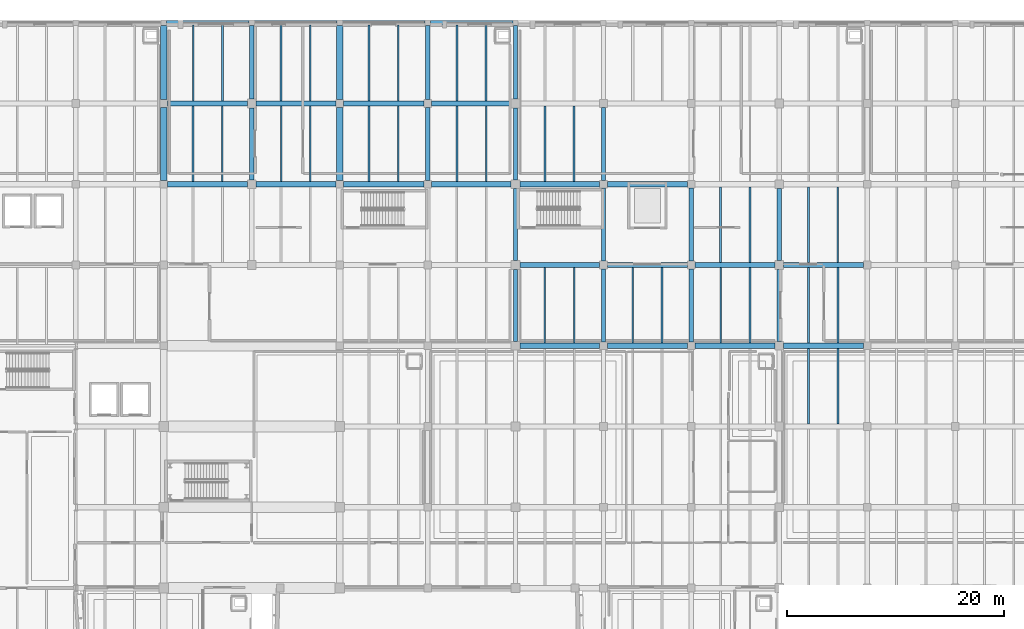
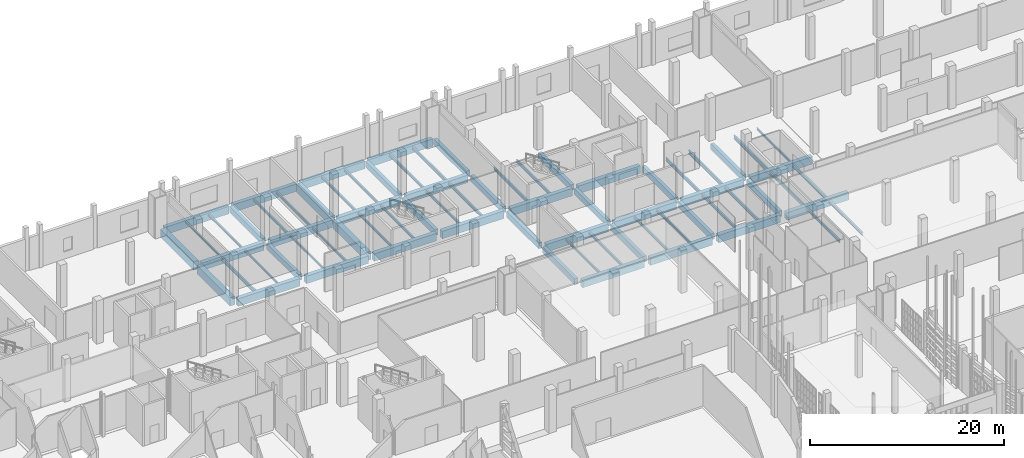
# One storey, part 250 of 372: 73 beams.
"""IFC4 building model written with IfcOpenShell, lengths in metres."""

from ifc_helpers import new_model, si_unit, direction, frame, origin, origin_2d, place, context, subcontext, project, spatial, rectangle, i_section, extrude, material, material_profile, profile_set, type_object, element, save


model = new_model("IFC4")

# Units and contexts
model_context = context("Model", 3, precision=1e-05, world=origin(), true_north=direction((0.0, 1.0)))
body_context = subcontext(model_context, "Body", "Model", "MODEL_VIEW")
ifc_project = project(units=[si_unit("LENGTHUNIT", "METRE"), si_unit("AREAUNIT", "SQUARE_METRE"), si_unit("VOLUMEUNIT", "CUBIC_METRE"), si_unit("PLANEANGLEUNIT", "RADIAN"), si_unit("MASSUNIT", "GRAM", prefix="KILO")], contexts=[model_context])

# Site, building, storey
site_placement = place(None, origin())
site = spatial("IfcSite", under=ifc_project, at=site_placement, CompositionType="ELEMENT")
building_placement = place(site_placement, origin())
building = spatial("IfcBuilding", under=site, at=building_placement, Name="Kaelora Sail Theatre", CompositionType="ELEMENT")
storey_placement = place(building_placement, origin())
storey = spatial("IfcBuildingStorey", under=building, at=storey_placement, Name="L00", CompositionType="ELEMENT", Elevation=0.0)

# Beams
ifc_material_1 = material(Name="Steel S355", Category="steel")
ifc_material_profile_1 = material_profile(ifc_material_1, i_section(OverallWidth=0.18994140625, OverallDepth=0.449951171875, WebThickness=0.009521484375, FlangeThickness=0.0146484375, FilletRadius=0.02099609375, at=origin_2d()), Name="IPE 450")
ifc_profile_set_1 = profile_set([ifc_material_profile_1], Name="Steel S355")
beam_type_1 = type_object("IfcBeamType", Name="STR-BM-BM-IPE450", PredefinedType="BEAM", material=ifc_profile_set_1)
for number, where, z_axis, x_axis, name in (
    (1, (69.0, 98.469970703125, -0.544921875), (0.0, 1.0, 0.0), (-1.0, 0.0, 0.0), "Secondary floor joist 9/N-1 (L00)"),
    (2, (120.300048828125, 91.030029296875, -0.544921875), (0.0, 1.0, 0.0), (-1.0, 0.0, 0.0), "Secondary floor joist 15/M-2 (L00)"),
    (3, (128.39990234375, 83.590087890625, -0.544921875), (0.0, 1.0, 0.0), (-1.0, 0.0, 0.0), "Secondary floor joist 16/L-2 (L00)"),
    (4, (125.699951171875, 91.030029296875, -0.544921875), (0.0, 1.0, 0.0), (-1.0, 0.0, 0.0), "Secondary floor joist 16/M-1 (L00)"),
):
    element("IfcBeam", number, at=place(storey_placement, frame(where, z_axis=z_axis, x_axis=x_axis)), inside=storey, type_object=beam_type_1, Name=name, PredefinedType="BEAM", context=body_context, shape_type="SweptSolid", body=[
        extrude(i_section(OverallWidth=0.18994140625, OverallDepth=0.449951171875, WebThickness=0.009521484375, FlangeThickness=0.0146484375, FilletRadius=0.02099609375, at=origin_2d()), origin(), (0.0, 0.0, 1.0), 6.93994140625),
    ])
ifc_material_2 = material(Name="Concrete C40/50", Category="concrete")
ifc_material_profile_2 = material_profile(ifc_material_2, rectangle(XDim=0.39990234375, YDim=0.75, at=origin_2d()), Name="RC-BM 400x750")
ifc_profile_set_2 = profile_set([ifc_material_profile_2], Name="Concrete C40/50")
beam_type_2 = type_object("IfcBeamType", Name="STR-BM-BM-RC4075", PredefinedType="BEAM", material=ifc_profile_set_2)
beam_1_placement = place(storey_placement, frame((74.39990234375, 98.6201171875, -0.695068359375), z_axis=(0.0, 1.0, 0.0), x_axis=(-1.0, 0.0, 0.0)))
element("IfcBeam", 5, at=beam_1_placement, inside=storey, type_object=beam_type_2, Name="Primary beam 10 N-O (L00)", PredefinedType="BEAM", context=body_context, shape_type="SweptSolid", body=[
    extrude(rectangle(XDim=0.39990234375, YDim=0.75, at=origin_2d()), origin(), (0.0, 0.0, 1.0), 6.639892578125),
])
beam_2_placement = place(storey_placement, frame((74.39990234375, 106.06005859375, -0.695068359375), z_axis=(0.0, 1.0, 0.0), x_axis=(-1.0, 0.0, 0.0)))
element("IfcBeam", 6, at=beam_2_placement, inside=storey, type_object=beam_type_2, Name="Primary beam 10 O-P (L00)", PredefinedType="BEAM", context=body_context, shape_type="SweptSolid", body=[
    extrude(rectangle(XDim=0.39990234375, YDim=0.75, at=origin_2d()), origin(), (0.0, 0.0, 1.0), 6.7900390625),
])
beam_3_placement = place(storey_placement, frame((90.60009765625, 98.570068359375, -0.695068359375), z_axis=(0.0, 1.0, 0.0), x_axis=(-1.0, 0.0, 0.0)))
element("IfcBeam", 7, at=beam_3_placement, inside=storey, type_object=beam_type_2, Name="Primary beam 12 N-O (L00)", PredefinedType="BEAM", context=body_context, shape_type="SweptSolid", body=[
    extrude(rectangle(XDim=0.39990234375, YDim=0.75, at=origin_2d()), origin(), (0.0, 0.0, 1.0), 6.739990234375),
])
beam_4_placement = place(storey_placement, frame((90.60009765625, 106.010009765625, -0.695068359375), z_axis=(0.0, 1.0, 0.0), x_axis=(-1.0, 0.0, 0.0)))
element("IfcBeam", 8, at=beam_4_placement, inside=storey, type_object=beam_type_2, Name="Primary beam 12 O-P (L00)", PredefinedType="BEAM", context=body_context, shape_type="SweptSolid", body=[
    extrude(rectangle(XDim=0.39990234375, YDim=0.75, at=origin_2d()), origin(), (0.0, 0.0, 1.0), 6.840087890625),
])
beam_5_placement = place(storey_placement, frame((98.699951171875, 83.739990234375, -0.695068359375), z_axis=(0.0, 1.0, 0.0), x_axis=(-1.0, 0.0, 0.0)))
element("IfcBeam", 9, at=beam_5_placement, inside=storey, type_object=beam_type_2, Name="Primary beam 13 L-M (L00)", PredefinedType="BEAM", context=body_context, shape_type="SweptSolid", body=[
    extrude(rectangle(XDim=0.39990234375, YDim=0.75, at=origin_2d()), origin(), (0.0, 0.0, 1.0), 6.639892578125),
])
beam_6_placement = place(storey_placement, frame((98.699951171875, 91.179931640625, -0.695068359375), z_axis=(0.0, 1.0, 0.0), x_axis=(-1.0, 0.0, 0.0)))
element("IfcBeam", 10, at=beam_6_placement, inside=storey, type_object=beam_type_2, Name="Primary beam 13 M-N (L00)", PredefinedType="BEAM", context=body_context, shape_type="SweptSolid", body=[
    extrude(rectangle(XDim=0.39990234375, YDim=0.75, at=origin_2d()), origin(), (0.0, 0.0, 1.0), 6.64013671875),
])
beam_7_placement = place(storey_placement, frame((98.699951171875, 98.6201171875, -0.695068359375), z_axis=(0.0, 1.0, 0.0), x_axis=(-1.0, 0.0, 0.0)))
element("IfcBeam", 11, at=beam_7_placement, inside=storey, type_object=beam_type_2, Name="Primary beam 13 N-O (L00)", PredefinedType="BEAM", context=body_context, shape_type="SweptSolid", body=[
    extrude(rectangle(XDim=0.39990234375, YDim=0.75, at=origin_2d()), origin(), (0.0, 0.0, 1.0), 6.639892578125),
])
beam_8_placement = place(storey_placement, frame((98.699951171875, 106.06005859375, -0.695068359375), z_axis=(0.0, 1.0, 0.0), x_axis=(-1.0, 0.0, 0.0)))
element("IfcBeam", 12, at=beam_8_placement, inside=storey, type_object=beam_type_2, Name="Primary beam 13 O-P (L00)", PredefinedType="BEAM", context=body_context, shape_type="SweptSolid", body=[
    extrude(rectangle(XDim=0.39990234375, YDim=0.75, at=origin_2d()), origin(), (0.0, 0.0, 1.0), 6.7900390625),
])
beam_9_placement = place(storey_placement, frame((106.800048828125, 83.68994140625, -0.695068359375), z_axis=(0.0, 1.0, 0.0), x_axis=(-1.0, 0.0, 0.0)))
element("IfcBeam", 13, at=beam_9_placement, inside=storey, type_object=beam_type_2, Name="Primary beam 14 L-M (L00)", PredefinedType="BEAM", context=body_context, shape_type="SweptSolid", body=[
    extrude(rectangle(XDim=0.39990234375, YDim=0.75, at=origin_2d()), origin(), (0.0, 0.0, 1.0), 6.739990234375),
])
beam_10_placement = place(storey_placement, frame((106.800048828125, 91.1298828125, -0.695068359375), z_axis=(0.0, 1.0, 0.0), x_axis=(-1.0, 0.0, 0.0)))
element("IfcBeam", 14, at=beam_10_placement, inside=storey, type_object=beam_type_2, Name="Primary beam 14 M-N (L00)", PredefinedType="BEAM", context=body_context, shape_type="SweptSolid", body=[
    extrude(rectangle(XDim=0.39990234375, YDim=0.75, at=origin_2d()), origin(), (0.0, 0.0, 1.0), 6.740234375),
])
for number, where, z_axis, x_axis, name in (
    (15, (106.800048828125, 98.570068359375, -0.695068359375), (0.0, 1.0, 0.0), (-1.0, 0.0, 0.0), "Primary beam 14 N-O (L00)"),
    (16, (114.89990234375, 83.68994140625, -0.695068359375), (0.0, 1.0, 0.0), (-1.0, 0.0, 0.0), "Primary beam 15 L-M (L00)"),
):
    element("IfcBeam", number, at=place(storey_placement, frame(where, z_axis=z_axis, x_axis=x_axis)), inside=storey, type_object=beam_type_2, Name=name, PredefinedType="BEAM", context=body_context, shape_type="SweptSolid", body=[
        extrude(rectangle(XDim=0.39990234375, YDim=0.75, at=origin_2d()), origin(), (0.0, 0.0, 1.0), 6.739990234375),
    ])
beam_11_placement = place(storey_placement, frame((114.89990234375, 91.1298828125, -0.695068359375), z_axis=(0.0, 1.0, 0.0), x_axis=(-1.0, 0.0, 0.0)))
element("IfcBeam", 17, at=beam_11_placement, inside=storey, type_object=beam_type_2, Name="Primary beam 15 M-N (L00)", PredefinedType="BEAM", context=body_context, shape_type="SweptSolid", body=[
    extrude(rectangle(XDim=0.39990234375, YDim=0.75, at=origin_2d()), origin(), (0.0, 0.0, 1.0), 6.740234375),
])
beam_12_placement = place(storey_placement, frame((123.0, 83.739990234375, -0.695068359375), z_axis=(0.0, 1.0, 0.0), x_axis=(-1.0, 0.0, 0.0)))
element("IfcBeam", 18, at=beam_12_placement, inside=storey, type_object=beam_type_2, Name="Primary beam 16 L-M (L00)", PredefinedType="BEAM", context=body_context, shape_type="SweptSolid", body=[
    extrude(rectangle(XDim=0.39990234375, YDim=0.75, at=origin_2d()), origin(), (0.0, 0.0, 1.0), 6.639892578125),
])
beam_13_placement = place(storey_placement, frame((123.0, 91.179931640625, -0.695068359375), z_axis=(0.0, 1.0, 0.0), x_axis=(-1.0, 0.0, 0.0)))
element("IfcBeam", 19, at=beam_13_placement, inside=storey, type_object=beam_type_2, Name="Primary beam 16 M-N (L00)", PredefinedType="BEAM", context=body_context, shape_type="SweptSolid", body=[
    extrude(rectangle(XDim=0.39990234375, YDim=0.75, at=origin_2d()), origin(), (0.0, 0.0, 1.0), 6.64013671875),
])
ifc_material_3 = material(Name="Concrete C45/55", Category="concrete")
ifc_material_profile_3 = material_profile(ifc_material_3, rectangle(XDim=0.5, YDim=0.949951171875, at=origin_2d()), Name="RC-GRD 500x950")
ifc_profile_set_3 = profile_set([ifc_material_profile_3], Name="Concrete C45/55")
beam_type_3 = type_object("IfcBeamType", Name="STR-BM-GR-RC5095", PredefinedType="T_BEAM", material=ifc_profile_set_3)
for number, where, z_axis, x_axis, name in (
    (20, (66.64990234375, 98.219970703125, -0.794921875), (1.0, 0.0, 0.0), (0.0, 1.0, 0.0), "Primary beam N 9-10 (L00)"),
    (21, (66.64990234375, 105.659912109375, -0.794921875), (1.0, 0.0, 0.0), (0.0, 1.0, 0.0), "Primary beam O 9-10 (L00)"),
):
    element("IfcBeam", number, at=place(storey_placement, frame(where, z_axis=z_axis, x_axis=x_axis)), inside=storey, type_object=beam_type_3, Name=name, PredefinedType="T_BEAM", context=body_context, shape_type="SweptSolid", body=[
        extrude(rectangle(XDim=0.5, YDim=0.949951171875, at=origin_2d()), origin(), (0.0, 0.0, 1.0), 7.35009765625),
    ])
for number, where, z_axis, x_axis, name in (
    (22, (74.800048828125, 98.219970703125, -0.794921875), (1.0, 0.0, 0.0), (0.0, 1.0, 0.0), "Primary beam N 10-11 (L00)"),
    (23, (74.800048828125, 105.659912109375, -0.794921875), (1.0, 0.0, 0.0), (0.0, 1.0, 0.0), "Primary beam O 10-11 (L00)"),
):
    element("IfcBeam", number, at=place(storey_placement, frame(where, z_axis=z_axis, x_axis=x_axis)), inside=storey, type_object=beam_type_3, Name=name, PredefinedType="T_BEAM", context=body_context, shape_type="SweptSolid", body=[
        extrude(rectangle(XDim=0.5, YDim=0.949951171875, at=origin_2d()), origin(), (0.0, 0.0, 1.0), 7.349853515625),
    ])
for number, where, z_axis, x_axis, name in (
    (24, (82.85009765625, 98.219970703125, -0.794921875), (1.0, 0.0, 0.0), (0.0, 1.0, 0.0), "Primary beam N 11-12 (L00)"),
    (25, (82.85009765625, 105.659912109375, -0.794921875), (1.0, 0.0, 0.0), (0.0, 1.0, 0.0), "Primary beam O 11-12 (L00)"),
):
    element("IfcBeam", number, at=place(storey_placement, frame(where, z_axis=z_axis, x_axis=x_axis)), inside=storey, type_object=beam_type_3, Name=name, PredefinedType="T_BEAM", context=body_context, shape_type="SweptSolid", body=[
        extrude(rectangle(XDim=0.5, YDim=0.949951171875, at=origin_2d()), origin(), (0.0, 0.0, 1.0), 7.39990234375),
    ])
for number, where, z_axis, x_axis, name in (
    (26, (90.949951171875, 98.219970703125, -0.794921875), (1.0, 0.0, 0.0), (0.0, 1.0, 0.0), "Primary beam N 12-13 (L00)"),
    (27, (90.949951171875, 105.659912109375, -0.794921875), (1.0, 0.0, 0.0), (0.0, 1.0, 0.0), "Primary beam O 12-13 (L00)"),
):
    element("IfcBeam", number, at=place(storey_placement, frame(where, z_axis=z_axis, x_axis=x_axis)), inside=storey, type_object=beam_type_3, Name=name, PredefinedType="T_BEAM", context=body_context, shape_type="SweptSolid", body=[
        extrude(rectangle(XDim=0.5, YDim=0.949951171875, at=origin_2d()), origin(), (0.0, 0.0, 1.0), 7.35009765625),
    ])
for number, where, z_axis, x_axis, name in (
    (28, (99.10009765625, 83.340087890625, -0.794921875), (1.0, 0.0, 0.0), (0.0, 1.0, 0.0), "Primary beam L 13-14 (L00)"),
    (29, (99.10009765625, 90.780029296875, -0.794921875), (1.0, 0.0, 0.0), (0.0, 1.0, 0.0), "Primary beam M 13-14 (L00)"),
    (30, (99.10009765625, 98.219970703125, -0.794921875), (1.0, 0.0, 0.0), (0.0, 1.0, 0.0), "Primary beam N 13-14 (L00)"),
):
    element("IfcBeam", number, at=place(storey_placement, frame(where, z_axis=z_axis, x_axis=x_axis)), inside=storey, type_object=beam_type_3, Name=name, PredefinedType="T_BEAM", context=body_context, shape_type="SweptSolid", body=[
        extrude(rectangle(XDim=0.5, YDim=0.949951171875, at=origin_2d()), origin(), (0.0, 0.0, 1.0), 7.349853515625),
    ])
for number, where, z_axis, x_axis, name in (
    (31, (107.14990234375, 83.340087890625, -0.794921875), (1.0, 0.0, 0.0), (0.0, 1.0, 0.0), "Primary beam L 14-15 (L00)"),
    (32, (107.14990234375, 90.780029296875, -0.794921875), (1.0, 0.0, 0.0), (0.0, 1.0, 0.0), "Primary beam M 14-15 (L00)"),
    (33, (107.14990234375, 98.219970703125, -0.794921875), (1.0, 0.0, 0.0), (0.0, 1.0, 0.0), "Primary beam N 14-15 (L00)"),
):
    element("IfcBeam", number, at=place(storey_placement, frame(where, z_axis=z_axis, x_axis=x_axis)), inside=storey, type_object=beam_type_3, Name=name, PredefinedType="T_BEAM", context=body_context, shape_type="SweptSolid", body=[
        extrude(rectangle(XDim=0.5, YDim=0.949951171875, at=origin_2d()), origin(), (0.0, 0.0, 1.0), 7.400146484375),
    ])
for number, where, z_axis, x_axis, name in (
    (34, (115.25, 83.340087890625, -0.794921875), (1.0, 0.0, 0.0), (0.0, 1.0, 0.0), "Primary beam L 15-16 (L00)"),
    (35, (115.25, 90.780029296875, -0.794921875), (1.0, 0.0, 0.0), (0.0, 1.0, 0.0), "Primary beam M 15-16 (L00)"),
    (36, (123.39990234375, 83.340087890625, -0.794921875), (1.0, 0.0, 0.0), (0.0, 1.0, 0.0), "Primary beam L 16-17 (L00)"),
    (37, (123.39990234375, 90.780029296875, -0.794921875), (1.0, 0.0, 0.0), (0.0, 1.0, 0.0), "Primary beam M 16-17 (L00)"),
):
    element("IfcBeam", number, at=place(storey_placement, frame(where, z_axis=z_axis, x_axis=x_axis)), inside=storey, type_object=beam_type_3, Name=name, PredefinedType="T_BEAM", context=body_context, shape_type="SweptSolid", body=[
        extrude(rectangle(XDim=0.5, YDim=0.949951171875, at=origin_2d()), origin(), (0.0, 0.0, 1.0), 7.35009765625),
    ])
ifc_material_4 = material(Name="Concrete C50/60", Category="concrete")
ifc_material_profile_4 = material_profile(ifc_material_4, rectangle(XDim=0.60009765625, YDim=1.050048828125, at=origin_2d()), Name="RC-GRD 600x1050")
ifc_profile_set_4 = profile_set([ifc_material_profile_4], Name="Concrete C50/60")
beam_type_4 = type_object("IfcBeamType", Name="STR-BM-GR-RC6105", PredefinedType="T_BEAM", material=ifc_profile_set_4)
beam_14_placement = place(storey_placement, frame((66.300048828125, 98.570068359375, -0.844970703125), z_axis=(0.0, 1.0, 0.0), x_axis=(-1.0, 0.0, 0.0)))
element("IfcBeam", 38, at=beam_14_placement, inside=storey, type_object=beam_type_4, Name="Primary beam 9 N-O (L00)", PredefinedType="T_BEAM", context=body_context, shape_type="SweptSolid", body=[
    extrude(rectangle(XDim=0.60009765625, YDim=1.050048828125, at=origin_2d()), origin(), (0.0, 0.0, 1.0), 6.739990234375),
])
beam_15_placement = place(storey_placement, frame((66.300048828125, 106.010009765625, -0.844970703125), z_axis=(0.0, 1.0, 0.0), x_axis=(-1.0, 0.0, 0.0)))
element("IfcBeam", 39, at=beam_15_placement, inside=storey, type_object=beam_type_4, Name="Primary beam 9 O-P (L00)", PredefinedType="T_BEAM", context=body_context, shape_type="SweptSolid", body=[
    extrude(rectangle(XDim=0.60009765625, YDim=1.050048828125, at=origin_2d()), origin(), (0.0, 0.0, 1.0), 6.840087890625),
])
beam_16_placement = place(storey_placement, frame((82.5, 98.570068359375, -0.844970703125), z_axis=(0.0, 1.0, 0.0), x_axis=(-1.0, 0.0, 0.0)))
element("IfcBeam", 40, at=beam_16_placement, inside=storey, type_object=beam_type_4, Name="Primary beam 11 N-O (L00)", PredefinedType="T_BEAM", context=body_context, shape_type="SweptSolid", body=[
    extrude(rectangle(XDim=0.60009765625, YDim=1.050048828125, at=origin_2d()), origin(), (0.0, 0.0, 1.0), 6.739990234375),
])
beam_17_placement = place(storey_placement, frame((82.5, 106.010009765625, -0.844970703125), z_axis=(0.0, 1.0, 0.0), x_axis=(-1.0, 0.0, 0.0)))
element("IfcBeam", 41, at=beam_17_placement, inside=storey, type_object=beam_type_4, Name="Primary beam 11 O-P (L00)", PredefinedType="T_BEAM", context=body_context, shape_type="SweptSolid", body=[
    extrude(rectangle(XDim=0.60009765625, YDim=1.050048828125, at=origin_2d()), origin(), (0.0, 0.0, 1.0), 6.840087890625),
])
ifc_material_5 = material(Name="Steel S355", Category="steel")
ifc_material_profile_5 = material_profile(ifc_material_5, i_section(OverallWidth=0.135009765625, OverallDepth=0.27001953125, WebThickness=0.006591796875, FlangeThickness=0.01025390625, FilletRadius=0.014892578125, at=origin_2d()), Name="IPE 270")
ifc_profile_set_5 = profile_set([ifc_material_profile_5], Name="Steel S355")
beam_type_5 = type_object("IfcBeamType", Name="STR-BM-JS-IPE270", PredefinedType="JOIST", material=ifc_profile_set_5)
beam_18_placement = place(storey_placement, frame((71.699951171875, 98.469970703125, -0.455078125), z_axis=(0.0, 1.0, 0.0), x_axis=(-1.0, 0.0, 0.0)))
element("IfcBeam", 42, at=beam_18_placement, inside=storey, type_object=beam_type_5, Name="Secondary floor joist 9/N-2 (L00)", PredefinedType="JOIST", context=body_context, shape_type="SweptSolid", body=[
    extrude(i_section(OverallWidth=0.135009765625, OverallDepth=0.27001953125, WebThickness=0.006591796875, FlangeThickness=0.01025390625, FilletRadius=0.014892578125, at=origin_2d()), origin(), (0.0, 0.0, 1.0), 6.93994140625),
])
beam_19_placement = place(storey_placement, frame((69.0, 105.909912109375, -0.455078125), z_axis=(0.0, 1.0, 0.0), x_axis=(-1.0, 0.0, 0.0)))
element("IfcBeam", 43, at=beam_19_placement, inside=storey, type_object=beam_type_5, Name="Secondary floor joist 9/O-1 (L00)", PredefinedType="JOIST", context=body_context, shape_type="SweptSolid", body=[
    extrude(i_section(OverallWidth=0.135009765625, OverallDepth=0.27001953125, WebThickness=0.006591796875, FlangeThickness=0.01025390625, FilletRadius=0.014892578125, at=origin_2d()), origin(), (0.0, 0.0, 1.0), 6.965087890625),
])
for number, where, z_axis, x_axis, name in (
    (44, (77.10009765625, 98.469970703125, -0.455078125), (0.0, 1.0, 0.0), (-1.0, 0.0, 0.0), "Secondary floor joist 10/N-1 (L00)"),
    (45, (128.39990234375, 91.030029296875, -0.455078125), (0.0, 1.0, 0.0), (-1.0, 0.0, 0.0), "Secondary floor joist 16/M-2 (L00)"),
):
    element("IfcBeam", number, at=place(storey_placement, frame(where, z_axis=z_axis, x_axis=x_axis)), inside=storey, type_object=beam_type_5, Name=name, PredefinedType="JOIST", context=body_context, shape_type="SweptSolid", body=[
        extrude(i_section(OverallWidth=0.135009765625, OverallDepth=0.27001953125, WebThickness=0.006591796875, FlangeThickness=0.01025390625, FilletRadius=0.014892578125, at=origin_2d()), origin(), (0.0, 0.0, 1.0), 6.93994140625),
    ])
ifc_material_6 = material(Name="Steel S355", Category="steel")
ifc_material_profile_6 = material_profile(ifc_material_6, i_section(OverallWidth=0.14990234375, OverallDepth=0.300048828125, WebThickness=0.007080078125, FlangeThickness=0.0107421875, FilletRadius=0.014892578125, at=origin_2d()), Name="IPE 300")
ifc_profile_set_6 = profile_set([ifc_material_profile_6], Name="Steel S355")
beam_type_6 = type_object("IfcBeamType", Name="STR-BM-JS-IPE300", PredefinedType="JOIST", material=ifc_profile_set_6)
beam_20_placement = place(storey_placement, frame((71.699951171875, 105.909912109375, -0.469970703125), z_axis=(0.0, 1.0, 0.0), x_axis=(-1.0, 0.0, 0.0)))
element("IfcBeam", 46, at=beam_20_placement, inside=storey, type_object=beam_type_6, Name="Secondary floor joist 9/O-2 (L00)", PredefinedType="JOIST", context=body_context, shape_type="SweptSolid", body=[
    extrude(i_section(OverallWidth=0.14990234375, OverallDepth=0.300048828125, WebThickness=0.007080078125, FlangeThickness=0.0107421875, FilletRadius=0.014892578125, at=origin_2d()), origin(), (0.0, 0.0, 1.0), 6.965087890625),
])
beam_21_placement = place(storey_placement, frame((79.800048828125, 98.469970703125, -0.469970703125), z_axis=(0.0, 1.0, 0.0), x_axis=(-1.0, 0.0, 0.0)))
element("IfcBeam", 47, at=beam_21_placement, inside=storey, type_object=beam_type_6, Name="Secondary floor joist 10/N-2 (L00)", PredefinedType="JOIST", context=body_context, shape_type="SweptSolid", body=[
    extrude(i_section(OverallWidth=0.14990234375, OverallDepth=0.300048828125, WebThickness=0.007080078125, FlangeThickness=0.0107421875, FilletRadius=0.014892578125, at=origin_2d()), origin(), (0.0, 0.0, 1.0), 6.93994140625),
])
beam_22_placement = place(storey_placement, frame((77.10009765625, 105.909912109375, -0.469970703125), z_axis=(0.0, 1.0, 0.0), x_axis=(-1.0, 0.0, 0.0)))
element("IfcBeam", 48, at=beam_22_placement, inside=storey, type_object=beam_type_6, Name="Secondary floor joist 10/O-1 (L00)", PredefinedType="JOIST", context=body_context, shape_type="SweptSolid", body=[
    extrude(i_section(OverallWidth=0.14990234375, OverallDepth=0.300048828125, WebThickness=0.007080078125, FlangeThickness=0.0107421875, FilletRadius=0.014892578125, at=origin_2d()), origin(), (0.0, 0.0, 1.0), 6.965087890625),
])
for number, where, z_axis, x_axis, name in (
    (49, (85.199951171875, 98.469970703125, -0.469970703125), (0.0, 1.0, 0.0), (-1.0, 0.0, 0.0), "Secondary floor joist 11/N-1 (L00)"),
    (50, (101.39990234375, 83.590087890625, -0.469970703125), (0.0, 1.0, 0.0), (-1.0, 0.0, 0.0), "Secondary floor joist 13/L-1 (L00)"),
):
    element("IfcBeam", number, at=place(storey_placement, frame(where, z_axis=z_axis, x_axis=x_axis)), inside=storey, type_object=beam_type_6, Name=name, PredefinedType="JOIST", context=body_context, shape_type="SweptSolid", body=[
        extrude(i_section(OverallWidth=0.14990234375, OverallDepth=0.300048828125, WebThickness=0.007080078125, FlangeThickness=0.0107421875, FilletRadius=0.014892578125, at=origin_2d()), origin(), (0.0, 0.0, 1.0), 6.93994140625),
    ])
ifc_material_7 = material(Name="Steel S355", Category="steel")
ifc_material_profile_7 = material_profile(ifc_material_7, i_section(OverallWidth=0.159912109375, OverallDepth=0.330078125, WebThickness=0.007568359375, FlangeThickness=0.011474609375, FilletRadius=0.01806640625, at=origin_2d()), Name="IPE 330")
ifc_profile_set_7 = profile_set([ifc_material_profile_7], Name="Steel S355")
beam_type_7 = type_object("IfcBeamType", Name="STR-BM-JS-IPE330", PredefinedType="JOIST", material=ifc_profile_set_7)
beam_23_placement = place(storey_placement, frame((79.800048828125, 105.909912109375, -0.485107421875), z_axis=(0.0, 1.0, 0.0), x_axis=(-1.0, 0.0, 0.0)))
element("IfcBeam", 51, at=beam_23_placement, inside=storey, type_object=beam_type_7, Name="Secondary floor joist 10/O-2 (L00)", PredefinedType="JOIST", context=body_context, shape_type="SweptSolid", body=[
    extrude(i_section(OverallWidth=0.159912109375, OverallDepth=0.330078125, WebThickness=0.007568359375, FlangeThickness=0.011474609375, FilletRadius=0.01806640625, at=origin_2d()), origin(), (0.0, 0.0, 1.0), 6.965087890625),
])
beam_24_placement = place(storey_placement, frame((87.89990234375, 98.469970703125, -0.485107421875), z_axis=(0.0, 1.0, 0.0), x_axis=(-1.0, 0.0, 0.0)))
element("IfcBeam", 52, at=beam_24_placement, inside=storey, type_object=beam_type_7, Name="Secondary floor joist 11/N-2 (L00)", PredefinedType="JOIST", context=body_context, shape_type="SweptSolid", body=[
    extrude(i_section(OverallWidth=0.159912109375, OverallDepth=0.330078125, WebThickness=0.007568359375, FlangeThickness=0.011474609375, FilletRadius=0.01806640625, at=origin_2d()), origin(), (0.0, 0.0, 1.0), 6.93994140625),
])
beam_25_placement = place(storey_placement, frame((85.199951171875, 105.909912109375, -0.485107421875), z_axis=(0.0, 1.0, 0.0), x_axis=(-1.0, 0.0, 0.0)))
element("IfcBeam", 53, at=beam_25_placement, inside=storey, type_object=beam_type_7, Name="Secondary floor joist 11/O-1 (L00)", PredefinedType="JOIST", context=body_context, shape_type="SweptSolid", body=[
    extrude(i_section(OverallWidth=0.159912109375, OverallDepth=0.330078125, WebThickness=0.007568359375, FlangeThickness=0.011474609375, FilletRadius=0.01806640625, at=origin_2d()), origin(), (0.0, 0.0, 1.0), 6.965087890625),
])
for number, where, z_axis, x_axis, name in (
    (54, (93.300048828125, 98.469970703125, -0.485107421875), (0.0, 1.0, 0.0), (-1.0, 0.0, 0.0), "Secondary floor joist 12/N-1 (L00)"),
    (55, (104.10009765625, 83.590087890625, -0.485107421875), (0.0, 1.0, 0.0), (-1.0, 0.0, 0.0), "Secondary floor joist 13/L-2 (L00)"),
    (56, (109.5, 83.590087890625, -0.485107421875), (0.0, 1.0, 0.0), (-1.0, 0.0, 0.0), "Secondary floor joist 14/L-1 (L00)"),
):
    element("IfcBeam", number, at=place(storey_placement, frame(where, z_axis=z_axis, x_axis=x_axis)), inside=storey, type_object=beam_type_7, Name=name, PredefinedType="JOIST", context=body_context, shape_type="SweptSolid", body=[
        extrude(i_section(OverallWidth=0.159912109375, OverallDepth=0.330078125, WebThickness=0.007568359375, FlangeThickness=0.011474609375, FilletRadius=0.01806640625, at=origin_2d()), origin(), (0.0, 0.0, 1.0), 6.93994140625),
    ])
ifc_material_8 = material(Name="Steel S355", Category="steel")
ifc_material_profile_8 = material_profile(ifc_material_8, i_section(OverallWidth=0.169921875, OverallDepth=0.360107421875, WebThickness=0.008056640625, FlangeThickness=0.0126953125, FilletRadius=0.01806640625, at=origin_2d()), Name="IPE 360")
ifc_profile_set_8 = profile_set([ifc_material_profile_8], Name="Steel S355")
beam_type_8 = type_object("IfcBeamType", Name="STR-BM-JS-IPE360", PredefinedType="JOIST", material=ifc_profile_set_8)
beam_26_placement = place(storey_placement, frame((87.89990234375, 105.909912109375, -0.5), z_axis=(0.0, 1.0, 0.0), x_axis=(-1.0, 0.0, 0.0)))
element("IfcBeam", 57, at=beam_26_placement, inside=storey, type_object=beam_type_8, Name="Secondary floor joist 11/O-2 (L00)", PredefinedType="JOIST", context=body_context, shape_type="SweptSolid", body=[
    extrude(i_section(OverallWidth=0.169921875, OverallDepth=0.360107421875, WebThickness=0.008056640625, FlangeThickness=0.0126953125, FilletRadius=0.01806640625, at=origin_2d()), origin(), (0.0, 0.0, 1.0), 6.965087890625),
])
beam_27_placement = place(storey_placement, frame((96.0, 98.469970703125, -0.5), z_axis=(0.0, 1.0, 0.0), x_axis=(-1.0, 0.0, 0.0)))
element("IfcBeam", 58, at=beam_27_placement, inside=storey, type_object=beam_type_8, Name="Secondary floor joist 12/N-2 (L00)", PredefinedType="JOIST", context=body_context, shape_type="SweptSolid", body=[
    extrude(i_section(OverallWidth=0.169921875, OverallDepth=0.360107421875, WebThickness=0.008056640625, FlangeThickness=0.0126953125, FilletRadius=0.01806640625, at=origin_2d()), origin(), (0.0, 0.0, 1.0), 6.93994140625),
])
beam_28_placement = place(storey_placement, frame((93.300048828125, 105.909912109375, -0.5), z_axis=(0.0, 1.0, 0.0), x_axis=(-1.0, 0.0, 0.0)))
element("IfcBeam", 59, at=beam_28_placement, inside=storey, type_object=beam_type_8, Name="Secondary floor joist 12/O-1 (L00)", PredefinedType="JOIST", context=body_context, shape_type="SweptSolid", body=[
    extrude(i_section(OverallWidth=0.169921875, OverallDepth=0.360107421875, WebThickness=0.008056640625, FlangeThickness=0.0126953125, FilletRadius=0.01806640625, at=origin_2d()), origin(), (0.0, 0.0, 1.0), 6.965087890625),
])
for number, where, z_axis, x_axis, name in (
    (60, (101.39990234375, 98.469970703125, -0.5), (0.0, 1.0, 0.0), (-1.0, 0.0, 0.0), "Secondary floor joist 13/N-1 (L00)"),
    (61, (112.199951171875, 83.590087890625, -0.5), (0.0, 1.0, 0.0), (-1.0, 0.0, 0.0), "Secondary floor joist 14/L-2 (L00)"),
    (62, (117.60009765625, 83.590087890625, -0.5), (0.0, 1.0, 0.0), (-1.0, 0.0, 0.0), "Secondary floor joist 15/L-1 (L00)"),
):
    element("IfcBeam", number, at=place(storey_placement, frame(where, z_axis=z_axis, x_axis=x_axis)), inside=storey, type_object=beam_type_8, Name=name, PredefinedType="JOIST", context=body_context, shape_type="SweptSolid", body=[
        extrude(i_section(OverallWidth=0.169921875, OverallDepth=0.360107421875, WebThickness=0.008056640625, FlangeThickness=0.0126953125, FilletRadius=0.01806640625, at=origin_2d()), origin(), (0.0, 0.0, 1.0), 6.93994140625),
    ])
beam_29_placement = place(storey_placement, frame((125.699951171875, 76.14990234375, -0.5), z_axis=(0.0, 1.0, 0.0), x_axis=(-1.0, 0.0, 0.0)))
element("IfcBeam", 63, at=beam_29_placement, inside=storey, type_object=beam_type_8, Name="Secondary floor joist 16/K-1 (L00)", PredefinedType="JOIST", context=body_context, shape_type="SweptSolid", body=[
    extrude(i_section(OverallWidth=0.169921875, OverallDepth=0.360107421875, WebThickness=0.008056640625, FlangeThickness=0.0126953125, FilletRadius=0.01806640625, at=origin_2d()), origin(), (0.0, 0.0, 1.0), 6.940185546875),
])
ifc_material_9 = material(Name="Steel S355", Category="steel")
ifc_material_profile_9 = material_profile(ifc_material_9, i_section(OverallWidth=0.179931640625, OverallDepth=0.39990234375, WebThickness=0.008544921875, FlangeThickness=0.013427734375, FilletRadius=0.02099609375, at=origin_2d()), Name="IPE 400")
ifc_profile_set_9 = profile_set([ifc_material_profile_9], Name="Steel S355")
beam_type_9 = type_object("IfcBeamType", Name="STR-BM-JS-IPE400", PredefinedType="JOIST", material=ifc_profile_set_9)
beam_30_placement = place(storey_placement, frame((96.0, 105.909912109375, -0.52001953125), z_axis=(0.0, 1.0, 0.0), x_axis=(-1.0, 0.0, 0.0)))
element("IfcBeam", 64, at=beam_30_placement, inside=storey, type_object=beam_type_9, Name="Secondary floor joist 12/O-2 (L00)", PredefinedType="JOIST", context=body_context, shape_type="SweptSolid", body=[
    extrude(i_section(OverallWidth=0.179931640625, OverallDepth=0.39990234375, WebThickness=0.008544921875, FlangeThickness=0.013427734375, FilletRadius=0.02099609375, at=origin_2d()), origin(), (0.0, 0.0, 1.0), 6.965087890625),
])
for number, where, z_axis, x_axis, name in (
    (65, (104.10009765625, 98.469970703125, -0.52001953125), (0.0, 1.0, 0.0), (-1.0, 0.0, 0.0), "Secondary floor joist 13/N-2 (L00)"),
    (66, (120.300048828125, 83.590087890625, -0.52001953125), (0.0, 1.0, 0.0), (-1.0, 0.0, 0.0), "Secondary floor joist 15/L-2 (L00)"),
    (67, (117.60009765625, 91.030029296875, -0.52001953125), (0.0, 1.0, 0.0), (-1.0, 0.0, 0.0), "Secondary floor joist 15/M-1 (L00)"),
):
    element("IfcBeam", number, at=place(storey_placement, frame(where, z_axis=z_axis, x_axis=x_axis)), inside=storey, type_object=beam_type_9, Name=name, PredefinedType="JOIST", context=body_context, shape_type="SweptSolid", body=[
        extrude(i_section(OverallWidth=0.179931640625, OverallDepth=0.39990234375, WebThickness=0.008544921875, FlangeThickness=0.013427734375, FilletRadius=0.02099609375, at=origin_2d()), origin(), (0.0, 0.0, 1.0), 6.93994140625),
    ])
beam_31_placement = place(storey_placement, frame((128.39990234375, 76.14990234375, -0.52001953125), z_axis=(0.0, 1.0, 0.0), x_axis=(-1.0, 0.0, 0.0)))
element("IfcBeam", 68, at=beam_31_placement, inside=storey, type_object=beam_type_9, Name="Secondary floor joist 16/K-2 (L00)", PredefinedType="JOIST", context=body_context, shape_type="SweptSolid", body=[
    extrude(i_section(OverallWidth=0.179931640625, OverallDepth=0.39990234375, WebThickness=0.008544921875, FlangeThickness=0.013427734375, FilletRadius=0.02099609375, at=origin_2d()), origin(), (0.0, 0.0, 1.0), 6.940185546875),
])
beam_32_placement = place(storey_placement, frame((125.699951171875, 83.590087890625, -0.52001953125), z_axis=(0.0, 1.0, 0.0), x_axis=(-1.0, 0.0, 0.0)))
element("IfcBeam", 69, at=beam_32_placement, inside=storey, type_object=beam_type_9, Name="Secondary floor joist 16/L-1 (L00)", PredefinedType="JOIST", context=body_context, shape_type="SweptSolid", body=[
    extrude(i_section(OverallWidth=0.179931640625, OverallDepth=0.39990234375, WebThickness=0.008544921875, FlangeThickness=0.013427734375, FilletRadius=0.02099609375, at=origin_2d()), origin(), (0.0, 0.0, 1.0), 6.93994140625),
])
ifc_material_10 = material(Name="Concrete C45/55", Category="concrete")
ifc_material_profile_10 = material_profile(ifc_material_10, rectangle(XDim=0.449951171875, YDim=0.949951171875, at=origin_2d()), Name="RC-SPN 450x950")
ifc_profile_set_10 = profile_set([ifc_material_profile_10], Name="Concrete C45/55")
beam_type_10 = type_object("IfcBeamType", Name="STR-BM-SP-RC4595", PredefinedType="SPANDREL", material=ifc_profile_set_10)
beam_33_placement = place(storey_placement, frame((66.550048828125, 113.10009765625, -0.794921875), z_axis=(1.0, 0.0, 0.0), x_axis=(0.0, 1.0, 0.0)))
element("IfcBeam", 70, at=beam_33_placement, inside=storey, type_object=beam_type_10, Name="Primary beam P 9-10 (L00)", PredefinedType="SPANDREL", context=body_context, shape_type="SweptSolid", body=[
    extrude(rectangle(XDim=0.449951171875, YDim=0.949951171875, at=origin_2d()), origin(), (0.0, 0.0, 1.0), 7.599853515625),
])
for number, where, z_axis, x_axis, name in (
    (71, (74.64990234375, 113.10009765625, -0.794921875), (1.0, 0.0, 0.0), (0.0, 1.0, 0.0), "Primary beam P 10-11 (L00)"),
    (72, (82.75, 113.10009765625, -0.794921875), (1.0, 0.0, 0.0), (0.0, 1.0, 0.0), "Primary beam P 11-12 (L00)"),
):
    element("IfcBeam", number, at=place(storey_placement, frame(where, z_axis=z_axis, x_axis=x_axis)), inside=storey, type_object=beam_type_10, Name=name, PredefinedType="SPANDREL", context=body_context, shape_type="SweptSolid", body=[
        extrude(rectangle(XDim=0.449951171875, YDim=0.949951171875, at=origin_2d()), origin(), (0.0, 0.0, 1.0), 7.60009765625),
    ])
beam_34_placement = place(storey_placement, frame((90.85009765625, 113.10009765625, -0.794921875), z_axis=(1.0, 0.0, 0.0), x_axis=(0.0, 1.0, 0.0)))
element("IfcBeam", 73, at=beam_34_placement, inside=storey, type_object=beam_type_10, Name="Primary beam P 12-13 (L00)", PredefinedType="SPANDREL", context=body_context, shape_type="SweptSolid", body=[
    extrude(rectangle(XDim=0.449951171875, YDim=0.949951171875, at=origin_2d()), origin(), (0.0, 0.0, 1.0), 7.599853515625),
])

save(model, "model.ifc")
